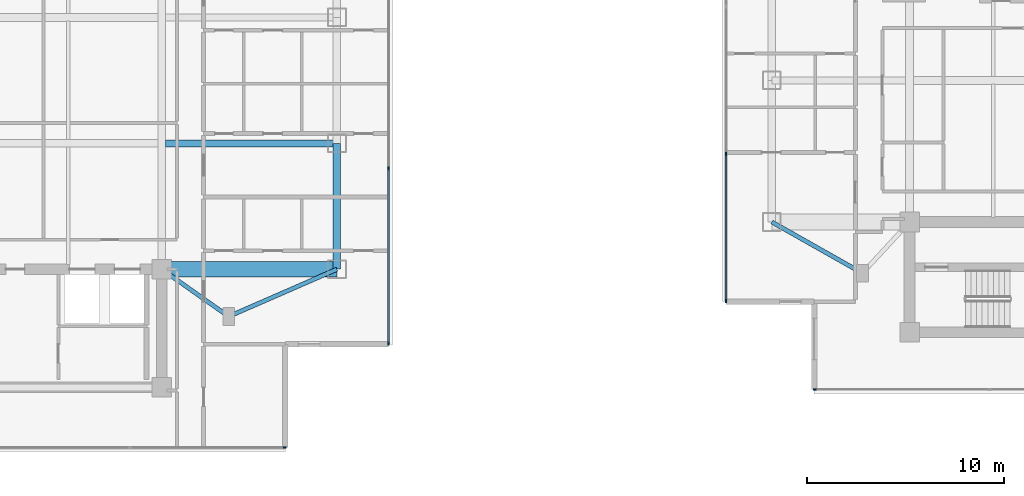
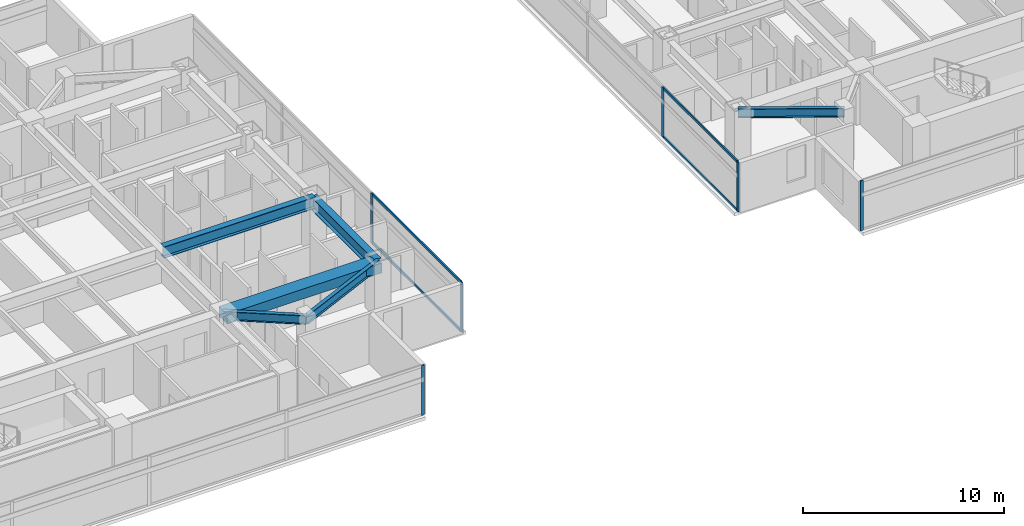
# One storey, part 4 of 26: 10 members, 6 beams, 4 elements without a shape of their own.
"""IFC4 building model written with IfcOpenShell, lengths in metres."""

import ifcopenshell
import ifcopenshell.guid

model = None  # the IFC model being written
_history = None  # IfcOwnerHistory: only IFC2X3 demands one
_inside = {}  # id of a spatial element -> (the spatial element, [elements in it])
_under = {}  # id of a project, library or spatial element -> (it, [spatial elements below it])
_declared = {}  # id of a project -> (the project, [libraries it declares])
_typed = {}  # id of a type object -> (the type object, [elements of that type])
_made_of = {}  # id of a material, layer set ... -> (it, [elements and type objects made of it])


def new_model(schema):
    """Start an empty IFC model of exactly this schema.

    Asked for "IFC4X3", IfcOpenShell would pick the latest addendum, in which some entities
    have other attributes; the version numbers below select the first issue.
    IFC2X3 requires an IfcOwnerHistory on every rooted entity: one is made here for all.
    """
    global model, _history
    if schema == "IFC4X3":
        model = ifcopenshell.file(schema_version=(4, 3, 0, 0))
    else:
        model = ifcopenshell.file(schema=schema)
    _inside.clear()
    _under.clear()
    _declared.clear()
    _typed.clear()
    _made_of.clear()
    _history = None
    if model.schema == "IFC2X3":
        org = make("IfcOrganization", Name="unknown")
        user = make(
            "IfcPersonAndOrganization",
            ThePerson=make("IfcPerson", FamilyName="unknown"),
            TheOrganization=org,
        )
        app = make(
            "IfcApplication",
            ApplicationDeveloper=org,
            Version="unknown",
            ApplicationFullName="unknown",
            ApplicationIdentifier="unknown",
        )
        _history = make(
            "IfcOwnerHistory",
            OwningUser=user,
            OwningApplication=app,
            ChangeAction="ADDED",
            CreationDate=0,
        )
    return model


def make(cls, **values):
    """One entity of the class cls with the attributes given. An attribute that is None is left unset."""
    return model.create_entity(
        cls, **{name: value for name, value in values.items() if value is not None}
    )


def rooted(cls, **values):
    """An entity with a GlobalId (a new one), such as an element, a storey or a relation."""
    return make(cls, GlobalId=ifcopenshell.guid.new(), OwnerHistory=_history, **values)


def si_unit(unit_type, name, prefix=None):
    """IfcSIUnit, for example si_unit("LENGTHUNIT", "METRE", prefix="MILLI")."""
    return make("IfcSIUnit", UnitType=unit_type, Prefix=prefix, Name=name)


def assignment(units):
    """IfcUnitAssignment: the units of a project."""
    return None if units is None else make("IfcUnitAssignment", Units=units)


def point(xyz):
    """IfcCartesianPoint."""
    return None if xyz is None else make("IfcCartesianPoint", Coordinates=xyz)


def direction(xyz):
    """IfcDirection."""
    return None if xyz is None else make("IfcDirection", DirectionRatios=xyz)


def frame(location, z_axis=None, x_axis=None):
    """IfcAxis2Placement3D, a coordinate frame: its origin and axes. An axis left out is left unset."""
    return make(
        "IfcAxis2Placement3D",
        Location=point(location),
        Axis=direction(z_axis),
        RefDirection=direction(x_axis),
    )


def frame_2d(location, x_axis=None):
    """IfcAxis2Placement2D, a coordinate frame in the plane: its origin and x axis."""
    return make(
        "IfcAxis2Placement2D", Location=point(location), RefDirection=direction(x_axis)
    )


def origin():
    """The frame at (0, 0, 0) with its axes left unset."""
    return frame((0.0, 0.0, 0.0))


def origin_2d():
    """The frame at (0, 0) in the plane with its x axis left unset."""
    return frame_2d((0.0, 0.0))


def place(relative_to, where):
    """IfcLocalPlacement: puts the frame where relative to a parent placement (None: the world)."""
    return make(
        "IfcLocalPlacement", PlacementRelTo=relative_to, RelativePlacement=where
    )


def context(
    kind, dimensions, precision=None, world=None, true_north=None, identifier=None
):
    """IfcGeometricRepresentationContext, for example the 3D "Model" context."""
    return make(
        "IfcGeometricRepresentationContext",
        ContextIdentifier=identifier,
        ContextType=kind,
        CoordinateSpaceDimension=dimensions,
        Precision=precision,
        WorldCoordinateSystem=world,
        TrueNorth=true_north,
    )


def subcontext(parent, identifier, kind, view, scale=None):
    """IfcGeometricRepresentationSubContext, for example "Body" below "Model"."""
    return make(
        "IfcGeometricRepresentationSubContext",
        ContextIdentifier=identifier,
        ContextType=kind,
        ParentContext=parent,
        TargetScale=scale,
        TargetView=view,
    )


def project(units=None, contexts=None):
    """IfcProject with its units and contexts."""
    return rooted(
        "IfcProject",
        Name="project",
        RepresentationContexts=contexts,
        UnitsInContext=assignment(units),
    )


def spatial(cls, under=None, at=None, **own):
    """A site, building, storey or space (cls), placed at a placement, below another one or the project."""
    s = rooted(cls, ObjectPlacement=at, **own)
    if under is not None:
        _under.setdefault(under.id(), (under, []))[1].append(s)
    return s


def profile(cls, at=None, kind="AREA", **sizes):
    """A parametric profile (cls). Its sizes go by their IFC names, for example OverallWidth=200.0."""
    return make(cls, ProfileType=kind, Position=at, **sizes)


def rectangle(**sizes):
    """IfcRectangleProfileDef."""
    return profile("IfcRectangleProfileDef", **sizes)


def i_section(**sizes):
    """IfcIShapeProfileDef."""
    return profile("IfcIShapeProfileDef", **sizes)


def extrude(swept, where, along, depth):
    """IfcExtrudedAreaSolid: the profile swept, set in the frame where, extruded along a direction by depth."""
    return make(
        "IfcExtrudedAreaSolid",
        SweptArea=swept,
        Position=where,
        ExtrudedDirection=direction(along),
        Depth=depth,
    )


def shape(context_of_items, identifier, shape_type, items):
    """IfcShapeRepresentation: the items that make up one representation, for example the "Body"."""
    return make(
        "IfcShapeRepresentation",
        ContextOfItems=context_of_items,
        RepresentationIdentifier=identifier,
        RepresentationType=shape_type,
        Items=items,
    )


def material(Name=None, Category=None):
    """IfcMaterial."""
    return make("IfcMaterial", Name=Name, Category=Category)


def material_profile(
    of_material, cross_section, Name=None, Category=None, Priority=None
):
    """IfcMaterialProfile: a cross section and its material."""
    return make(
        "IfcMaterialProfile",
        Name=Name,
        Material=of_material,
        Profile=cross_section,
        Priority=Priority,
        Category=Category,
    )


def profile_set(profiles, Name=None, composite=None):
    """IfcMaterialProfileSet."""
    return make(
        "IfcMaterialProfileSet",
        Name=Name,
        MaterialProfiles=profiles,
        CompositeProfile=composite,
    )


def made_of(thing, what):
    """Note that an element or type object is made of a material, layer set ...; save() writes the relation."""
    if what is not None:
        _made_of.setdefault(what.id(), (what, []))[1].append(thing)
    return thing


def type_object(cls, material=None, **own):
    """A type object (cls), such as IfcWallType, which elements share."""
    return made_of(rooted(cls, **own), material)


def element(
    cls,
    number,
    at=None,
    inside=None,
    cuts=None,
    type_object=None,
    material=None,
    context=None,
    identifier="Body",
    shape_type=None,
    held_by="IfcProductDefinitionShape",
    body=None,
    shapes=None,
    **own,
):
    """One element of the class cls, such as IfcWall. Its Tag is "e" and its number.

    at: its placement. inside: the storey or other place that contains it. cuts: it is an
    opening in that element (IfcRelVoidsElement). A single representation is given by context,
    identifier, shape_type and body (its items); several are given by shapes. held_by: the class
    of the entity that holds the representations. save() writes the other relations.
    """
    e = rooted(cls, Tag="e%d" % number, ObjectPlacement=at, **own)
    if body is not None:
        shapes = [shape(context, identifier, shape_type, body)]
    if shapes is not None:
        e.Representation = make(held_by, Representations=shapes)
    if inside is not None:
        _inside.setdefault(inside.id(), (inside, []))[1].append(e)
    if cuts is not None:
        rooted(
            "IfcRelVoidsElement", RelatingBuildingElement=cuts, RelatedOpeningElement=e
        )
    if type_object is not None:
        _typed.setdefault(type_object.id(), (type_object, []))[1].append(e)
    return made_of(e, material)


def aggregate(whole, parts):
    """IfcRelAggregates: a whole, such as a stair, and the parts it consists of."""
    return rooted("IfcRelAggregates", RelatingObject=whole, RelatedObjects=parts)


def save(model, path):
    """Write the relations noted so far, then the file.

    IfcRelAggregates (storeys below a building ...), IfcRelContainedInSpatialStructure (elements
    in a storey), IfcRelDefinesByType, IfcRelAssociatesMaterial and IfcRelDeclares: one each for
    every whole, place, type object, material and project.
    """
    for whole, parts in _under.values():
        aggregate(whole, parts)
    for where, things in _inside.values():
        rooted(
            "IfcRelContainedInSpatialStructure",
            RelatedElements=things,
            RelatingStructure=where,
        )
    for kind, things in _typed.values():
        rooted("IfcRelDefinesByType", RelatedObjects=things, RelatingType=kind)
    for what, things in _made_of.values():
        rooted("IfcRelAssociatesMaterial", RelatedObjects=things, RelatingMaterial=what)
    for by, libraries in _declared.values():
        rooted("IfcRelDeclares", RelatingContext=by, RelatedDefinitions=libraries)
    model.write(path)


model = new_model("IFC4")

# Units and contexts
model_context = context("Model", 3, precision=1e-05, world=origin(), true_north=direction((0.0, 1.0)))
body_context = subcontext(model_context, "Body", "Model", "MODEL_VIEW")
ifc_project = project(units=[si_unit("LENGTHUNIT", "METRE"), si_unit("AREAUNIT", "SQUARE_METRE"), si_unit("VOLUMEUNIT", "CUBIC_METRE"), si_unit("PLANEANGLEUNIT", "RADIAN"), si_unit("MASSUNIT", "GRAM", prefix="KILO")], contexts=[model_context])

# Site, building, storey
site_placement = place(None, origin())
site = spatial("IfcSite", under=ifc_project, at=site_placement, CompositionType="ELEMENT")
building_placement = place(site_placement, origin())
building = spatial("IfcBuilding", under=site, at=building_placement, Name="Mirazonda Arch Towers", CompositionType="ELEMENT")
storey_placement = place(building_placement, frame((0.0, 0.0, 170.64990234375)))
storey = spatial("IfcBuildingStorey", under=building, at=storey_placement, Name="L48", CompositionType="ELEMENT", Elevation=170.64990234375)

# Beams
ifc_material_1 = material(Name="Steel ASTM A992 Grade 50", Category="steel")
ifc_material_profile_1 = material_profile(ifc_material_1, i_section(OverallWidth=0.381103515625, OverallDepth=0.77294921875, WebThickness=0.0166015625, FlangeThickness=0.027099609375, at=origin_2d()), Name="W30X173")
ifc_profile_set_1 = profile_set([ifc_material_profile_1], Name="Steel ASTM A992 Grade 50")
beam_type_1 = type_object("IfcBeamType", Name="BM-EXT-W30X173", PredefinedType="USERDEFINED", material=ifc_profile_set_1)
beam_1_placement = place(storey_placement, frame((38.89990234375, 18.39990234375, 2.66357421875), z_axis=(0.0, 1.0, 0.0), x_axis=(-1.0, 0.0, 0.0)))
element("IfcBeam", 1, at=beam_1_placement, inside=storey, type_object=beam_type_1, Name="L48 Floor Beam BM-T1-L48-NS-E-18", ObjectType="GIRDER", PredefinedType="USERDEFINED", context=body_context, shape_type="SweptSolid", body=[
    extrude(i_section(OverallWidth=0.381103515625, OverallDepth=0.77294921875, WebThickness=0.0166015625, FlangeThickness=0.027099609375, at=origin_2d()), origin(), (0.0, 0.0, 1.0), 6.400146484375),
])
ifc_material_profile_2 = material_profile(ifc_material_1, i_section(OverallWidth=0.214111328125, OverallDepth=0.549072265625, WebThickness=0.0146484375, FlangeThickness=0.023681640625, at=origin_2d()), Name="W21X93")
ifc_profile_set_2 = profile_set([ifc_material_profile_2], Name="Steel ASTM A992 Grade 50")
beam_type_2 = type_object("IfcBeamType", Name="BM-INT-W21X93", PredefinedType="BEAM", material=ifc_profile_set_2)
beam_2_placement = place(storey_placement, frame((33.39990234375, 16.0, 2.775634765625), z_axis=(-0.816971114901, 0.576678591087, 0.0), x_axis=(-0.576678591087, -0.816971114901, 0.0)))
element("IfcBeam", 2, at=beam_2_placement, inside=storey, type_object=beam_type_2, Name="L48 Floor Beam BM-T1-L48-PL-SE1", PredefinedType="BEAM", context=body_context, shape_type="SweptSolid", body=[
    extrude(i_section(OverallWidth=0.214111328125, OverallDepth=0.549072265625, WebThickness=0.0146484375, FlangeThickness=0.023681640625, at=origin_2d()), origin(), (0.0, 0.0, 1.0), 4.16162109375),
])
beam_3_placement = place(storey_placement, frame((33.39990234375, 16.0, 2.775634765625), z_axis=(0.916545343703, 0.399930785183, 0.0), x_axis=(-0.399930785183, 0.916545343703, 0.0)))
element("IfcBeam", 3, at=beam_3_placement, inside=storey, type_object=beam_type_2, Name="L48 Floor Beam BM-T1-L48-PL-SE2", PredefinedType="BEAM", context=body_context, shape_type="SweptSolid", body=[
    extrude(i_section(OverallWidth=0.214111328125, OverallDepth=0.549072265625, WebThickness=0.0146484375, FlangeThickness=0.023681640625, at=origin_2d()), origin(), (0.0, 0.0, 1.0), 6.000732421875),
])
beam_4_placement = place(storey_placement, frame((65.60009765625, 18.199951171875, 2.775634765625), z_axis=(-0.870559396632, 0.492063346467, 0.0), x_axis=(-0.492063346467, -0.870559396632, 0.0)))
element("IfcBeam", 4, at=beam_4_placement, inside=storey, type_object=beam_type_2, Name="L48 Floor Beam BM-T2-L48-PL-SW2", PredefinedType="BEAM", context=body_context, shape_type="SweptSolid", body=[
    extrude(i_section(OverallWidth=0.214111328125, OverallDepth=0.549072265625, WebThickness=0.0146484375, FlangeThickness=0.023681640625, at=origin_2d()), origin(), (0.0, 0.0, 1.0), 5.2841796875),
])
ifc_material_profile_3 = material_profile(ifc_material_1, i_section(OverallWidth=0.35498046875, OverallDepth=0.696044921875, WebThickness=0.015380859375, FlangeThickness=0.02490234375, at=origin_2d()), Name="W27X146")
ifc_profile_set_3 = profile_set([ifc_material_profile_3], Name="Steel ASTM A992 Grade 50")
beam_type_3 = type_object("IfcBeamType", Name="BM-INT-W27X146", PredefinedType="BEAM", material=ifc_profile_set_3)
beam_5_placement = place(storey_placement, frame((30.199951171875, 24.800048828125, 2.7021484375), z_axis=(1.0, 0.0, 0.0), x_axis=(0.0, 1.0, 0.0)))
element("IfcBeam", 5, at=beam_5_placement, inside=storey, type_object=beam_type_3, Name="L48 Floor Beam BM-T1-L48-GE2", PredefinedType="BEAM", context=body_context, shape_type="SweptSolid", body=[
    extrude(i_section(OverallWidth=0.35498046875, OverallDepth=0.696044921875, WebThickness=0.015380859375, FlangeThickness=0.02490234375, at=origin_2d()), origin(), (0.0, 0.0, 1.0), 8.699951171875),
])
ifc_material_2 = material(Name="Concrete C60/75", Category="concrete")
ifc_material_profile_4 = material_profile(ifc_material_2, rectangle(XDim=0.800048828125, YDim=0.60009765625, at=origin_2d()), Name="RCCB800x600")
ifc_profile_set_4 = profile_set([ifc_material_profile_4], Name="Concrete C60/75")
beam_type_4 = type_object("IfcBeamType", Name="CB-INT-RCCB800x600", PredefinedType="SPANDREL", material=ifc_profile_set_4)
beam_6_placement = place(storey_placement, frame((30.0, 18.39990234375, 2.75), z_axis=(1.0, 0.0, 0.0), x_axis=(0.0, 1.0, 0.0)))
element("IfcBeam", 6, at=beam_6_placement, inside=storey, type_object=beam_type_4, Name="L48 Floor Beam CBC-T1-L48-SE", PredefinedType="SPANDREL", context=body_context, shape_type="SweptSolid", body=[
    extrude(rectangle(XDim=0.800048828125, YDim=0.60009765625, at=origin_2d()), origin(), (0.0, 0.0, 1.0), 8.89990234375),
])

# Curtain wall, member
ifc_material_3 = material(Name="Anodised Aluminium and Low-E Glass", Category="aluminium")
curtain_wall_type = type_object("IfcCurtainWallType", Name="CW-RES-UNIT", PredefinedType="NOTDEFINED", material=ifc_material_3)
curtain_wall_1_placement = place(storey_placement, origin())
curtain_wall_1 = element("IfcCurtainWall", 7, at=curtain_wall_1_placement, inside=storey, type_object=curtain_wall_type, Name="L48 T1 S Facade CW-L48-T1-S", PredefinedType="NOTDEFINED")
ifc_material_4 = material(Name="Anodised Aluminium Alloy", Category="aluminium")
ifc_material_profile_5 = material_profile(ifc_material_4, rectangle(XDim=0.074951171875, YDim=0.175048828125, at=origin_2d()), Name="ALU-MULL-75x175")
ifc_profile_set_5 = profile_set([ifc_material_profile_5], Name="Anodised Aluminium Alloy")
member_type_1 = type_object("IfcMemberType", Name="MULL-CW-RES-UNIT", PredefinedType="MULLION", material=ifc_profile_set_5)
member_1_placement = place(storey_placement, frame((36.24755859375, 9.340087890625, 0.0), z_axis=(0.0, 0.0, 1.0), x_axis=(0.0, -1.0, 0.0)))
member_1 = element("IfcMember", 8, at=member_1_placement, type_object=member_type_1, Name="CW-104 mullion 1", PredefinedType="MULLION", context=body_context, shape_type="SweptSolid", body=[
    extrude(rectangle(XDim=0.074951171875, YDim=0.175048828125, at=origin_2d()), origin(), (0.0, 0.0, 1.0), 3.030029296875),
])
aggregate(curtain_wall_1, [member_1])

# Curtain wall, members
curtain_wall_2_placement = place(storey_placement, origin())
curtain_wall_2 = element("IfcCurtainWall", 9, at=curtain_wall_2_placement, inside=storey, type_object=curtain_wall_type, Name="L48 T1 E Facade CW-L48-T1-E", PredefinedType="NOTDEFINED")
member_2_placement = place(storey_placement, frame((41.530029296875, 14.62255859375, 0.0), z_axis=(0.0, 0.0, 1.0), x_axis=(-1.0, 0.0, 0.0)))
member_2 = element("IfcMember", 10, at=member_2_placement, type_object=member_type_1, Name="CW-104 mullion 1", PredefinedType="MULLION", context=body_context, shape_type="SweptSolid", body=[
    extrude(rectangle(XDim=0.074951171875, YDim=0.175048828125, at=origin_2d()), origin(), (0.0, 0.0, 1.0), 3.030029296875),
])
member_3_placement = place(storey_placement, frame((41.530029296875, 23.5283203125, 0.0), z_axis=(0.0, 0.0, 1.0), x_axis=(-1.0, 0.0, 0.0)))
member_3 = element("IfcMember", 11, at=member_3_placement, type_object=member_type_1, Name="CW-104 mullion 2", PredefinedType="MULLION", context=body_context, shape_type="SweptSolid", body=[
    extrude(rectangle(XDim=0.074951171875, YDim=0.175048828125, at=origin_2d()), origin(), (0.0, 0.0, 1.0), 3.030029296875),
])

# Curtain wall, member
curtain_wall_3_placement = place(storey_placement, origin())
curtain_wall_3 = element("IfcCurtainWall", 12, at=curtain_wall_3_placement, inside=storey, type_object=curtain_wall_type, Name="L48 T2 S Facade CW-L48-T2-S", PredefinedType="NOTDEFINED")
member_4_placement = place(storey_placement, frame((63.18017578125, 12.2919921875, 0.0), z_axis=(0.0, 0.0, 1.0), x_axis=(0.0, -1.0, 0.0)))
member_4 = element("IfcMember", 13, at=member_4_placement, type_object=member_type_1, Name="CW-104 mullion 4", PredefinedType="MULLION", context=body_context, shape_type="SweptSolid", body=[
    extrude(rectangle(XDim=0.074951171875, YDim=0.175048828125, at=origin_2d()), origin(), (0.0, 0.0, 1.0), 3.030029296875),
])
aggregate(curtain_wall_3, [member_4])

# Curtain wall, members
curtain_wall_4_placement = place(storey_placement, origin())
curtain_wall_4 = element("IfcCurtainWall", 14, at=curtain_wall_4_placement, inside=storey, type_object=curtain_wall_type, Name="L48 T2 W Facade CW-L48-T2-W", PredefinedType="NOTDEFINED")
member_5_placement = place(storey_placement, frame((58.677490234375, 24.25244140625, 0.0), z_axis=(0.0, 0.0, 1.0), x_axis=(1.0, 0.0, 0.0)))
member_5 = element("IfcMember", 15, at=member_5_placement, type_object=member_type_1, Name="CW-104 mullion 3", PredefinedType="MULLION", context=body_context, shape_type="SweptSolid", body=[
    extrude(rectangle(XDim=0.074951171875, YDim=0.175048828125, at=origin_2d()), origin(), (0.0, 0.0, 1.0), 3.030029296875),
])
member_6_placement = place(storey_placement, frame((58.677490234375, 16.794677734375, 0.0), z_axis=(0.0, 0.0, 1.0), x_axis=(1.0, 0.0, 0.0)))
member_6 = element("IfcMember", 16, at=member_6_placement, type_object=member_type_1, Name="CW-104 mullion 4", PredefinedType="MULLION", context=body_context, shape_type="SweptSolid", body=[
    extrude(rectangle(XDim=0.074951171875, YDim=0.175048828125, at=origin_2d()), origin(), (0.0, 0.0, 1.0), 3.030029296875),
])

# Member
ifc_material_profile_6 = material_profile(ifc_material_4, rectangle(XDim=0.074951171875, YDim=0.155029296875, at=origin_2d()), Name="ALU-TRAN-75x155")
ifc_profile_set_6 = profile_set([ifc_material_profile_6], Name="Anodised Aluminium Alloy")
member_type_2 = type_object("IfcMemberType", Name="TRAN-CW-RES-UNIT", PredefinedType="USERDEFINED", material=ifc_profile_set_6)
member_7_placement = place(storey_placement, frame((41.530029296875, 14.659912109375, 0.03759765625), z_axis=(0.0, 1.0, 0.0), x_axis=(-1.0, 0.0, 0.0)))
member_7 = element("IfcMember", 17, at=member_7_placement, type_object=member_type_2, Name="CW-104 transom 1.1", ObjectType="TRANSOM", PredefinedType="USERDEFINED", context=body_context, shape_type="SweptSolid", body=[
    extrude(rectangle(XDim=0.074951171875, YDim=0.155029296875, at=origin_2d()), origin(), (0.0, 0.0, 1.0), 8.830810546875),
])

member_8_placement = place(storey_placement, frame((41.530029296875, 14.659912109375, 2.99267578125), z_axis=(0.0, 1.0, 0.0), x_axis=(-1.0, 0.0, 0.0)))
member_8 = element("IfcMember", 18, at=member_8_placement, type_object=member_type_2, Name="CW-104 transom 1.2", ObjectType="TRANSOM", PredefinedType="USERDEFINED", context=body_context, shape_type="SweptSolid", body=[
    extrude(rectangle(XDim=0.074951171875, YDim=0.155029296875, at=origin_2d()), origin(), (0.0, 0.0, 1.0), 8.830810546875),
])

aggregate(curtain_wall_2, [member_2, member_3, member_7, member_8])

member_9_placement = place(storey_placement, frame((58.677490234375, 24.21484375, 0.03759765625), z_axis=(0.0, -1.0, 0.0), x_axis=(1.0, 0.0, 0.0)))
member_9 = element("IfcMember", 19, at=member_9_placement, type_object=member_type_2, Name="CW-104 transom 3.1", ObjectType="TRANSOM", PredefinedType="USERDEFINED", context=body_context, shape_type="SweptSolid", body=[
    extrude(rectangle(XDim=0.074951171875, YDim=0.155029296875, at=origin_2d()), origin(), (0.0, 0.0, 1.0), 7.382568359375),
])

member_10_placement = place(storey_placement, frame((58.677490234375, 24.21484375, 2.99267578125), z_axis=(0.0, -1.0, 0.0), x_axis=(1.0, 0.0, 0.0)))
member_10 = element("IfcMember", 20, at=member_10_placement, type_object=member_type_2, Name="CW-104 transom 3.2", ObjectType="TRANSOM", PredefinedType="USERDEFINED", context=body_context, shape_type="SweptSolid", body=[
    extrude(rectangle(XDim=0.074951171875, YDim=0.155029296875, at=origin_2d()), origin(), (0.0, 0.0, 1.0), 7.382568359375),
])

aggregate(curtain_wall_4, [member_5, member_6, member_9, member_10])

save(model, "model.ifc")
